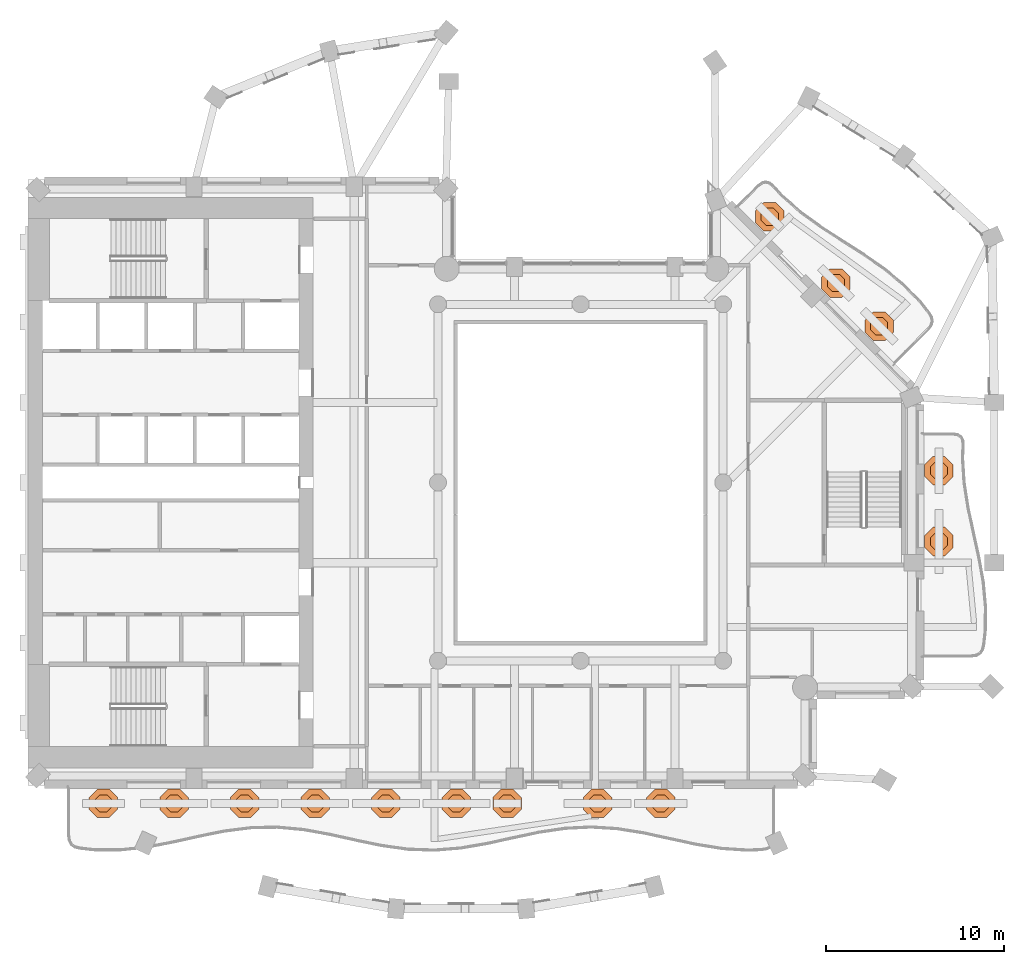
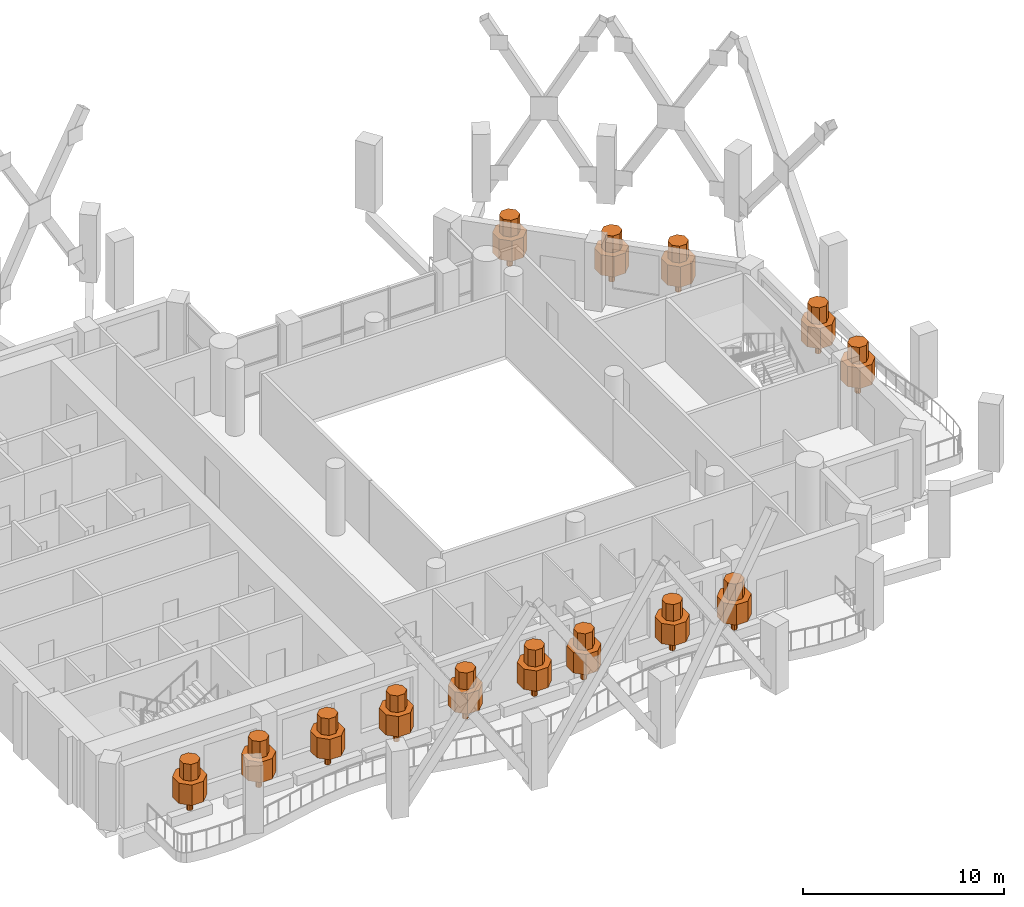
# One storey, part 16 of 16: 14 geographic elements.
"""IFC4 building model written with IfcOpenShell, lengths in metres."""

from ifc_helpers import new_model, si_unit, direction, frame, origin, place, context, subcontext, project, spatial, polyline, outline, extrude, material, type_object, element, save


model = new_model("IFC4")

# Units and contexts
model_context = context("Model", 3, precision=1e-05, world=origin(), true_north=direction((0.0, 1.0)))
body_context = subcontext(model_context, "Body", "Model", "MODEL_VIEW")
ifc_project = project(units=[si_unit("LENGTHUNIT", "METRE"), si_unit("AREAUNIT", "SQUARE_METRE"), si_unit("VOLUMEUNIT", "CUBIC_METRE"), si_unit("PLANEANGLEUNIT", "RADIAN"), si_unit("MASSUNIT", "GRAM", prefix="KILO")], contexts=[model_context])

# Site, building, storey
site_placement = place(None, origin())
site = spatial("IfcSite", under=ifc_project, at=site_placement, CompositionType="ELEMENT")
building_placement = place(site_placement, origin())
building = spatial("IfcBuilding", under=site, at=building_placement, Name="Cypress Arch Tower", CompositionType="ELEMENT")
storey_placement = place(building_placement, frame((0.0, 0.0, 168.699951171875)))
storey = spatial("IfcBuildingStorey", under=building, at=storey_placement, Name="L36", CompositionType="ELEMENT", Elevation=168.699951171875)

# Geographic elements
ifc_material = material(Name="Foliage and planting")
geographic_element_type = type_object("IfcGeographicElementType", Name="Balcony tree TR", PredefinedType="USERDEFINED", material=ifc_material)
for number, where, z_axis, x_axis, name in (
    (1, (-25.77001953125, -18.0, 0.60009765625), (0.0, 0.0, 1.0), (1.0, 0.0, 0.0), "Balcony tree L36-B01.1"),
    (2, (-21.81005859375, -18.0, 0.60009765625), (0.0, 0.0, 1.0), (1.0, 0.0, 0.0), "Balcony tree L36-B01.2"),
    (3, (-17.85009765625, -18.0, 0.60009765625), (0.0, 0.0, 1.0), (1.0, 0.0, 0.0), "Balcony tree L36-B01.3"),
    (4, (-13.889892578125, -18.0, 0.60009765625), (0.0, 0.0, 1.0), (1.0, 0.0, 0.0), "Balcony tree L36-B01.4"),
    (5, (-9.929931640625, -18.0, 0.60009765625), (0.0, 0.0, 1.0), (1.0, 0.0, 0.0), "Balcony tree L36-B01.5"),
    (6, (-5.969970703125, -18.0, 0.60009765625), (0.0, 0.0, 1.0), (1.0, 0.0, 0.0), "Balcony tree L36-B01.6"),
    (7, (-3.1201171875, -18.0, 0.60009765625), (0.0, 0.0, 1.0), (1.0, 0.0, 0.0), "Balcony tree L36-B01.7"),
    (8, (1.949951171875, -18.0, 0.60009765625), (0.0, 0.0, 1.0), (1.0, 0.0, 0.0), "Balcony tree L36-B01.8"),
    (9, (5.50244140625, -18.0, 0.60009765625), (0.0, 0.0, 1.0), (1.0, 0.0, 0.0), "Balcony tree L36-B01.9"),
    (10, (21.10009765625, -3.308349609375, 0.60009765625), (0.0, 0.0, 1.0), (1.0, 0.0, 0.0), "Balcony tree L36-B04.1"),
    (11, (21.10009765625, 0.666748046875, 0.60009765625), (0.0, 0.0, 1.0), (1.0, 0.0, 0.0), "Balcony tree L36-B04.2"),
    (12, (17.746337890625, 8.767822265625, 0.60009765625), (0.0, 0.0, 1.0), (1.0, 0.0, 0.0), "Balcony tree L36-B05.1"),
    (13, (15.324462890625, 11.189697265625, 0.60009765625), (0.0, 0.0, 1.0), (1.0, 0.0, 0.0), "Balcony tree L36-B05.2"),
    (14, (11.607177734375, 14.906982421875, 0.60009765625), (0.0, 0.0, 1.0), (1.0, 0.0, 0.0), "Balcony tree L36-B05.3"),
):
    element("IfcGeographicElement", number, at=place(storey_placement, frame(where, z_axis=z_axis, x_axis=x_axis)), inside=storey, type_object=geographic_element_type, Name=name, ObjectType="TREE", PredefinedType="USERDEFINED", context=body_context, shape_type="SweptSolid", body=[
        extrude(outline(polyline([(0.14990234375, 0.06201171875), (0.06201171875, 0.14990234375), (-0.06201171875, 0.14990234375), (-0.14990234375, 0.06201171875), (-0.14990234375, -0.06201171875), (-0.06201171875, -0.14990234375), (0.06201171875, -0.14990234375), (0.14990234375, -0.06201171875), (0.14990234375, 0.06201171875)])), origin(), (0.0, 0.0, 1.0), 0.89990234375),
        extrude(outline(polyline([(0.800048828125, 0.331298828125), (0.331298828125, 0.800048828125), (-0.331298828125, 0.800048828125), (-0.800048828125, 0.331298828125), (-0.800048828125, -0.331298828125), (-0.331298828125, -0.800048828125), (0.331298828125, -0.800048828125), (0.800048828125, -0.331298828125), (0.800048828125, 0.331298828125)])), frame((0.0, 0.0, 0.800048828125)), (0.0, 0.0, 1.0), 1.237548828125),
        extrude(outline(polyline([(0.47998046875, 0.19873046875), (0.19873046875, 0.47998046875), (-0.19873046875, 0.47998046875), (-0.47998046875, 0.19873046875), (-0.47998046875, -0.19873046875), (-0.19873046875, -0.47998046875), (0.19873046875, -0.47998046875), (0.47998046875, -0.19873046875), (0.47998046875, 0.19873046875)])), frame((0.0, 0.0, 2.03759765625)), (0.0, 0.0, 1.0), 1.012451171875),
    ])

save(model, "model.ifc")
